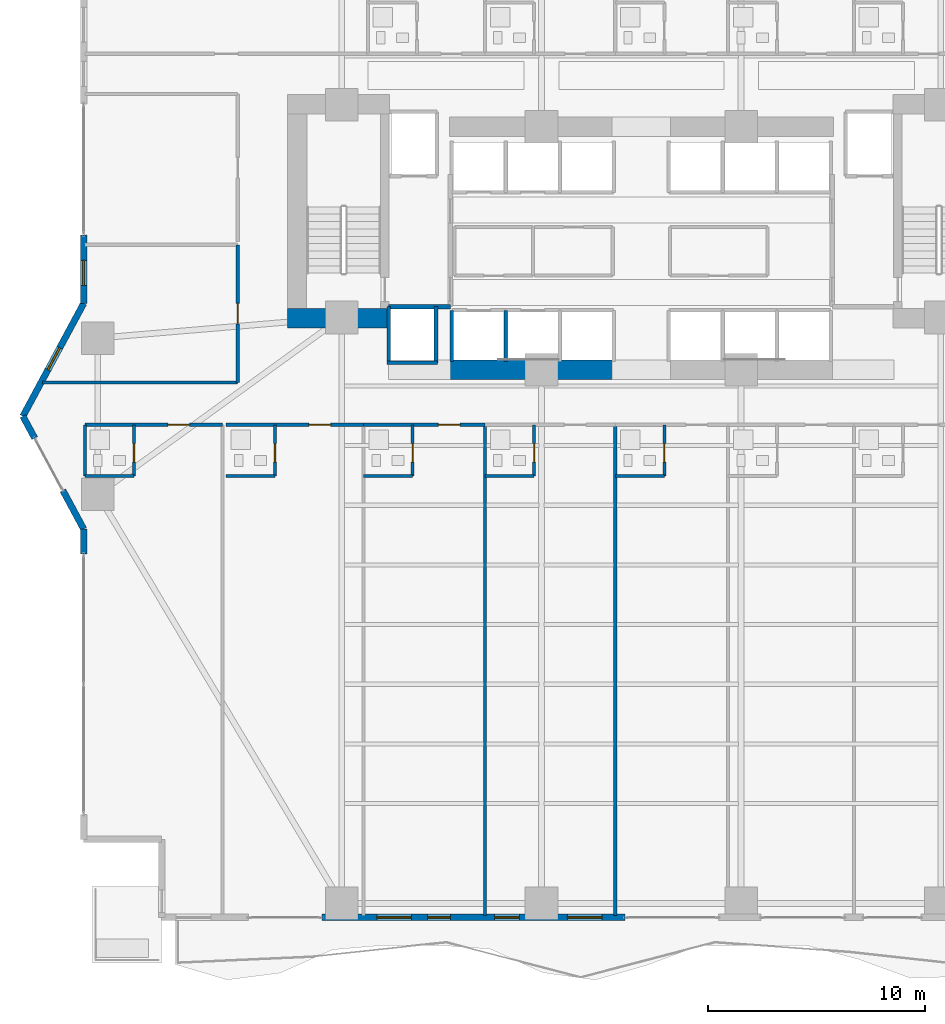
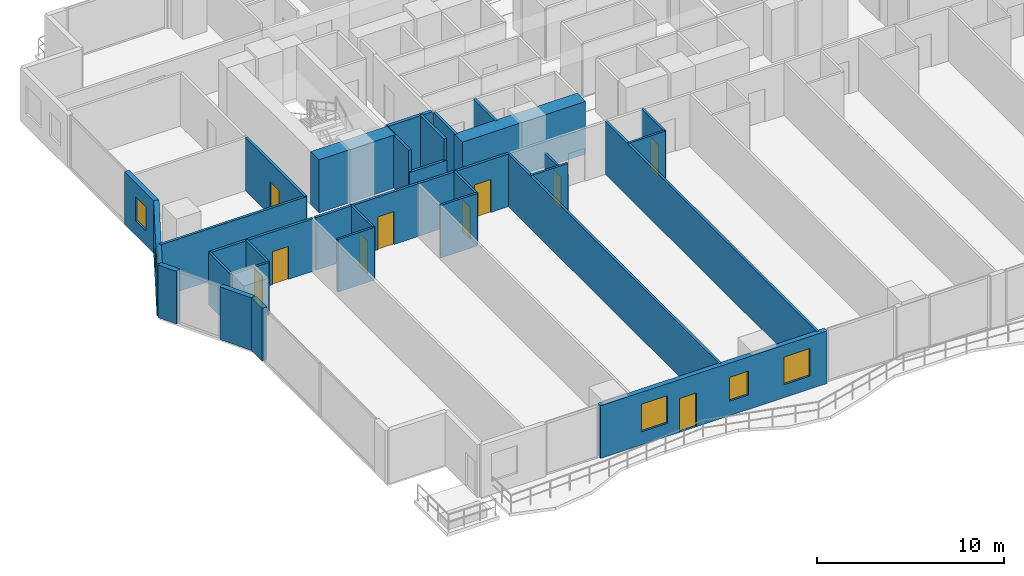
# One storey, part 18 of 28: 32 walls, 10 doors, 5 windows, 15 openings.
"""IFC4 building model written with IfcOpenShell, lengths in metres."""

from ifc_helpers import new_model, si_unit, direction, frame, frame_2d, origin, place, context, subcontext, project, spatial, rectangle, extrude, material, layer, layer_set, type_object, element, fill, save


model = new_model("IFC4")

# Units and contexts
model_context = context("Model", 3, precision=1e-05, world=origin(), true_north=direction((0.0, 1.0)))
body_context = subcontext(model_context, "Body", "Model", "MODEL_VIEW")
ifc_project = project(units=[si_unit("LENGTHUNIT", "METRE"), si_unit("AREAUNIT", "SQUARE_METRE"), si_unit("VOLUMEUNIT", "CUBIC_METRE"), si_unit("PLANEANGLEUNIT", "RADIAN"), si_unit("MASSUNIT", "GRAM", prefix="KILO")], contexts=[model_context])

# Site, building, storey
site_placement = place(None, origin())
site = spatial("IfcSite", under=ifc_project, at=site_placement, CompositionType="ELEMENT")
building_placement = place(site_placement, origin())
building = spatial("IfcBuilding", under=site, at=building_placement, Name="Zuhayl Quay Hotel", CompositionType="ELEMENT")
storey_placement = place(building_placement, frame((0.0, 0.0, 34.89990234375)))
storey = spatial("IfcBuildingStorey", under=building, at=storey_placement, Name="L07", CompositionType="ELEMENT", Elevation=34.89990234375)

# Walls
ifc_material_1 = material(Name="Concrete C70/85", Category="concrete")
ifc_layer_1 = layer(ifc_material_1, 0.89990234375, Name="Concrete C70/85", Category="concrete")
ifc_layer_set_1 = layer_set([ifc_layer_1], Name="Concrete C70/85")
wall_type_1 = type_object("IfcWallType", Name="WL_CORE_900", PredefinedType="SHEAR", material=ifc_layer_set_1)
wall_1_placement = place(storey_placement, frame((-16.31005859375, 4.52001953125, 0.0), z_axis=(0.0, 0.0, 1.0), x_axis=(1.0, 0.0, 0.0)))
element("IfcWall", 1, at=wall_1_placement, inside=storey, type_object=wall_type_1, Name="L07 Core Shear Wall CW_SW", PredefinedType="SHEAR", context=body_context, shape_type="SweptSolid", body=[
    extrude(rectangle(XDim=4.7099609375, YDim=0.89990234375, at=frame_2d((2.35498046875, 0.0))), origin(), (0.0, 0.0, 1.0), 3.460205078125),
])
wall_2_placement = place(storey_placement, frame((-8.85009765625, 2.14990234375, 0.0), z_axis=(0.0, 0.0, 1.0), x_axis=(1.0, 0.0, 0.0)))
element("IfcWall", 2, at=wall_2_placement, inside=storey, type_object=wall_type_1, Name="L07 Core Shear Wall CW_SC_W", PredefinedType="SHEAR", context=body_context, shape_type="SweptSolid", body=[
    extrude(rectangle(XDim=7.60009765625, YDim=0.89990234375, at=frame_2d((3.800048828125, 0.0))), origin(), (0.0, 0.0, 1.0), 3.43017578125),
])
ifc_material_2 = material(Name="Precast concrete C45/55", Category="concrete")
ifc_layer_2 = layer(ifc_material_2, 0.300048828125, Name="Precast concrete C45/55", Category="concrete")
ifc_layer_set_2 = layer_set([ifc_layer_2], Name="Precast concrete C45/55")
wall_type_2 = type_object("IfcWallType", Name="WL_EXT_300", PredefinedType="STANDARD", material=ifc_layer_set_2)
wall_3_placement = place(storey_placement, frame((-25.699951171875, -6.35009765625, 0.0), z_axis=(0.0, 0.0, 1.0), x_axis=(0.0, 1.0, 0.0)))
element("IfcWall", 3, at=wall_3_placement, inside=storey, type_object=wall_type_2, Name="L07 Exterior Precast Wall ENV_L07_E02_EW2", PredefinedType="STANDARD", context=body_context, shape_type="SweptSolid", body=[
    extrude(rectangle(XDim=1.150146484375, YDim=0.300048828125, at=frame_2d((0.5751953125, 0.0))), origin(), (0.0, 0.0, 1.0), 3.43017578125),
])
wall_4_placement = place(storey_placement, frame((-25.699951171875, -5.199951171875, 0.0), z_axis=(0.0, 0.0, 1.0), x_axis=(-0.474121438562, 0.88045946045, 0.0)))
element("IfcWall", 4, at=wall_4_placement, inside=storey, type_object=wall_type_2, Name="L07 Exterior Precast Wall ENV_L07_E03_EW1", PredefinedType="STANDARD", context=body_context, shape_type="SweptSolid", body=[
    extrude(rectangle(XDim=2.0205078125, YDim=0.300048828125, at=frame_2d((1.01025390625, 0.0))), origin(), (0.0, 0.0, 1.0), 3.43017578125),
])
wall_5_placement = place(storey_placement, frame((-27.954833984375, -1.012451171875, 0.0), z_axis=(0.0, 0.0, 1.0), x_axis=(-0.474099823035, 0.880471099922, 0.0)))
element("IfcWall", 5, at=wall_5_placement, inside=storey, type_object=wall_type_2, Name="L07 Exterior Precast Wall ENV_L07_E03_EW2", PredefinedType="STANDARD", context=body_context, shape_type="SweptSolid", body=[
    extrude(rectangle(XDim=1.14990234375, YDim=0.300048828125, at=frame_2d((0.574951171875, 0.0))), origin(), (0.0, 0.0, 1.0), 3.43017578125),
])

# Wall, opening, window
wall_6_placement = place(storey_placement, frame((-28.5, 0.0, 0.0), z_axis=(0.0, 0.0, 1.0), x_axis=(0.474109683532, 0.880465790352, 0.0)))
wall_6 = element("IfcWall", 6, at=wall_6_placement, inside=storey, type_object=wall_type_2, Name="L07 Exterior Precast Wall ENV_L07_E04_EW1", PredefinedType="STANDARD", context=body_context, shape_type="SweptSolid", body=[
    extrude(rectangle(XDim=5.906005859375, YDim=0.300048828125, at=frame_2d((2.953125, 0.0))), origin(), (0.0, 0.0, 1.0), 3.43017578125),
])
opening_1_placement = place(wall_6_placement, frame((2.43212890625, 0.0, 0.949951171875)))
opening_1 = element("IfcOpeningElement", 7, at=opening_1_placement, cuts=wall_6, Name="Opening W01N", PredefinedType="OPENING", context=body_context, shape_type="SweptSolid", body=[
    extrude(rectangle(XDim=1.14990234375, YDim=1.550048828125, at=frame_2d((0.574951171875, 0.77490234375))), frame((0.0, 0.159912109375, 0.0), z_axis=(0.0, -1.0, 0.0), x_axis=(1.0, 0.0, 0.0)), (0.0, 0.0, 1.0), 0.320068359375),
])
ifc_material_3 = material(Name="Dark Ceramic-Fritted Solar Glass", Category="glass")
window_type_1 = type_object("IfcWindowType", Name="WN_NOTCH_1350", PartitioningType="SINGLE_PANEL", PredefinedType="WINDOW", material=ifc_material_3)
window_1_placement = place(opening_1_placement, origin())
window_1 = element("IfcWindow", 8, at=window_1_placement, inside=storey, type_object=window_type_1, Name="L07 Operable Facade Window 1-1", OverallHeight=1.550048828125, OverallWidth=1.14990234375, PartitioningType="SINGLE_PANEL", PredefinedType="WINDOW", context=body_context, shape_type="SweptSolid", body=[
    extrude(rectangle(XDim=1.14990234375, YDim=1.550048828125, at=frame_2d((0.574951171875, 0.77490234375))), frame((0.0, 0.030029296875, 0.0), z_axis=(0.0, -1.0, 0.0), x_axis=(1.0, 0.0, 0.0)), (0.0, 0.0, 1.0), 0.06005859375),
])
fill(opening_1, window_1)

wall_7_placement = place(storey_placement, frame((-25.699951171875, 5.199951171875, 0.0), z_axis=(0.0, 0.0, 1.0), x_axis=(0.0, 1.0, 0.0)))
wall_7 = element("IfcWall", 9, at=wall_7_placement, inside=storey, type_object=wall_type_2, Name="L07 Exterior Precast Wall ENV_L07_E05_EW1", PredefinedType="STANDARD", context=body_context, shape_type="SweptSolid", body=[
    extrude(rectangle(XDim=3.150146484375, YDim=0.300048828125, at=frame_2d((1.5751953125, 0.0))), origin(), (0.0, 0.0, 1.0), 3.43017578125),
])
opening_2_placement = place(wall_7_placement, frame((0.8349609375, 0.0, 0.949951171875)))
opening_2 = element("IfcOpeningElement", 10, at=opening_2_placement, cuts=wall_7, Name="Opening W01N", PredefinedType="OPENING", context=body_context, shape_type="SweptSolid", body=[
    extrude(rectangle(XDim=1.14990234375, YDim=1.550048828125, at=frame_2d((0.574951171875, 0.77490234375))), frame((0.0, 0.159912109375, 0.0), z_axis=(0.0, -1.0, 0.0), x_axis=(1.0, 0.0, 0.0)), (0.0, 0.0, 1.0), 0.320068359375),
])
window_2_placement = place(opening_2_placement, origin())
window_2 = element("IfcWindow", 11, at=window_2_placement, inside=storey, type_object=window_type_1, Name="L07 Operable Facade Window 1-1", OverallHeight=1.550048828125, OverallWidth=1.14990234375, PartitioningType="SINGLE_PANEL", PredefinedType="WINDOW", context=body_context, shape_type="SweptSolid", body=[
    extrude(rectangle(XDim=1.14990234375, YDim=1.550048828125, at=frame_2d((0.574951171875, 0.77490234375))), frame((0.0, 0.030029296875, 0.0), z_axis=(0.0, -1.0, 0.0), x_axis=(1.0, 0.0, 0.0)), (0.0, 0.0, 1.0), 0.06005859375),
])
fill(opening_2, window_2)

# Wall, openings, door, windows
wall_8_placement = place(storey_placement, frame((-0.75, -23.10009765625, 0.0), z_axis=(0.0, 0.0, 1.0), x_axis=(-1.0, 0.0, 0.0)))
wall_8 = element("IfcWall", 12, at=wall_8_placement, inside=storey, type_object=wall_type_2, Name="L07 Exterior Precast Wall ENV_L07_S_EW5", PredefinedType="STANDARD", context=body_context, shape_type="SweptSolid", body=[
    extrude(rectangle(XDim=13.969970703125, YDim=0.300048828125, at=frame_2d((6.98486328125, 0.0))), origin(), (0.0, 0.0, 1.0), 3.43017578125),
])
opening_3_placement = place(wall_8_placement, frame((8.052978515625, 0.0, 0.0)))
opening_3 = element("IfcOpeningElement", 13, at=opening_3_placement, cuts=wall_8, Name="Opening DG1", PredefinedType="OPENING", context=body_context, shape_type="SweptSolid", body=[
    extrude(rectangle(XDim=1.050048828125, YDim=2.199951171875, at=frame_2d((0.52490234375, 1.10009765625))), frame((0.0, 0.159912109375, 0.0), z_axis=(0.0, -1.0, 0.0), x_axis=(1.0, 0.0, 0.0)), (0.0, 0.0, 1.0), 0.320068359375),
])
opening_4_placement = place(wall_8_placement, frame((1.06005859375, 0.0, 0.85009765625)))
opening_4 = element("IfcOpeningElement", 14, at=opening_4_placement, cuts=wall_8, Name="Opening W01", PredefinedType="OPENING", context=body_context, shape_type="SweptSolid", body=[
    extrude(rectangle(XDim=1.60009765625, YDim=1.800048828125, at=frame_2d((0.800048828125, 0.89990234375))), frame((0.0, 0.159912109375, 0.0), z_axis=(0.0, -1.0, 0.0), x_axis=(1.0, 0.0, 0.0)), (0.0, 0.0, 1.0), 0.320068359375),
])
opening_5_placement = place(wall_8_placement, frame((4.864990234375, 0.0, 0.949951171875)))
opening_5 = element("IfcOpeningElement", 15, at=opening_5_placement, cuts=wall_8, Name="Opening W01N", PredefinedType="OPENING", context=body_context, shape_type="SweptSolid", body=[
    extrude(rectangle(XDim=1.14990234375, YDim=1.550048828125, at=frame_2d((0.574951171875, 0.77490234375))), frame((0.0, 0.159912109375, 0.0), z_axis=(0.0, -1.0, 0.0), x_axis=(1.0, 0.0, 0.0)), (0.0, 0.0, 1.0), 0.320068359375),
])
opening_6_placement = place(wall_8_placement, frame((9.841552734375, 0.0, 0.85009765625)))
opening_6 = element("IfcOpeningElement", 16, at=opening_6_placement, cuts=wall_8, Name="Opening W01", PredefinedType="OPENING", context=body_context, shape_type="SweptSolid", body=[
    extrude(rectangle(XDim=1.60009765625, YDim=1.800048828125, at=frame_2d((0.800048828125, 0.89990234375))), frame((0.0, 0.159912109375, 0.0), z_axis=(0.0, -1.0, 0.0), x_axis=(1.0, 0.0, 0.0)), (0.0, 0.0, 1.0), 0.320068359375),
])
ifc_material_4 = material(Name="Anodised Aluminium and Dark Solar Glass", Category="aluminium")
door_type_1 = type_object("IfcDoorType", Name="DR_EXT_TERR_1050", OperationType="NOTDEFINED", PredefinedType="DOOR", material=ifc_material_4)
door_1_placement = place(opening_3_placement, origin())
door_1 = element("IfcDoor", 17, at=door_1_placement, inside=storey, type_object=door_type_1, Name="L07 South Rippling Balcony Door", OperationType="SINGLE_SWING_RIGHT", OverallHeight=2.199951171875, OverallWidth=1.050048828125, PredefinedType="DOOR", context=body_context, shape_type="SweptSolid", body=[
    extrude(rectangle(XDim=1.050048828125, YDim=2.199951171875, at=frame_2d((0.52490234375, 1.10009765625))), frame((0.0, 0.02490234375, 0.0), z_axis=(0.0, -1.0, 0.0), x_axis=(1.0, 0.0, 0.0)), (0.0, 0.0, 1.0), 0.050048828125),
])
fill(opening_3, door_1)
window_3_placement = place(opening_5_placement, origin())
window_3 = element("IfcWindow", 18, at=window_3_placement, inside=storey, type_object=window_type_1, Name="L07 Operable Facade Window 5-2", OverallHeight=1.550048828125, OverallWidth=1.14990234375, PartitioningType="SINGLE_PANEL", PredefinedType="WINDOW", context=body_context, shape_type="SweptSolid", body=[
    extrude(rectangle(XDim=1.14990234375, YDim=1.550048828125, at=frame_2d((0.574951171875, 0.77490234375))), frame((0.0, 0.030029296875, 0.0), z_axis=(0.0, -1.0, 0.0), x_axis=(1.0, 0.0, 0.0)), (0.0, 0.0, 1.0), 0.06005859375),
])
fill(opening_5, window_3)
window_type_2 = type_object("IfcWindowType", Name="WN_OPERABLE_1600", PartitioningType="DOUBLE_PANEL_VERTICAL", PredefinedType="WINDOW", material=ifc_material_3)
window_4_placement = place(opening_4_placement, origin())
window_4 = element("IfcWindow", 19, at=window_4_placement, inside=storey, type_object=window_type_2, Name="L07 Operable Facade Window 5-1", OverallHeight=1.800048828125, OverallWidth=1.60009765625, PartitioningType="SINGLE_PANEL", PredefinedType="WINDOW", context=body_context, shape_type="SweptSolid", body=[
    extrude(rectangle(XDim=1.60009765625, YDim=1.800048828125, at=frame_2d((0.800048828125, 0.89990234375))), frame((0.0, 0.030029296875, 0.0), z_axis=(0.0, -1.0, 0.0), x_axis=(1.0, 0.0, 0.0)), (0.0, 0.0, 1.0), 0.06005859375),
])
fill(opening_4, window_4)
window_5_placement = place(opening_6_placement, origin())
window_5 = element("IfcWindow", 20, at=window_5_placement, inside=storey, type_object=window_type_2, Name="L07 Operable Facade Window 5-3", OverallHeight=1.800048828125, OverallWidth=1.60009765625, PartitioningType="SINGLE_PANEL", PredefinedType="WINDOW", context=body_context, shape_type="SweptSolid", body=[
    extrude(rectangle(XDim=1.60009765625, YDim=1.800048828125, at=frame_2d((0.800048828125, 0.89990234375))), frame((0.0, 0.030029296875, 0.0), z_axis=(0.0, -1.0, 0.0), x_axis=(1.0, 0.0, 0.0)), (0.0, 0.0, 1.0), 0.06005859375),
])
fill(opening_6, window_5)

# Walls
ifc_material_5 = material(Name="Acoustic Gypsum Partition STC-58")
ifc_layer_3 = layer(ifc_material_5, 0.14990234375, Name="Acoustic Gypsum Partition STC-58")
ifc_layer_set_3 = layer_set([ifc_layer_3], Name="Acoustic Gypsum Partition STC-58")
wall_type_3 = type_object("IfcWallType", Name="WL_PART_150", PredefinedType="PARTITIONING", material=ifc_layer_set_3)
for number, where, z_axis, x_axis, name in (
    (21, (-7.199951171875, -23.02001953125, 0.0), (0.0, 0.0, 1.0), (0.0, 1.0, 0.0), "L07 Partition IW_L07_SU02_E"),
    (22, (-1.199951171875, -23.02001953125, 0.0), (0.0, 0.0, 1.0), (0.0, 1.0, 0.0), "L07 Partition IW_L07_SU03_E"),
):
    element("IfcWall", number, at=place(storey_placement, frame(where, z_axis=z_axis, x_axis=x_axis)), inside=storey, type_object=wall_type_3, Name=name, PredefinedType="PARTITIONING", context=body_context, shape_type="SweptSolid", body=[
        extrude(rectangle(XDim=22.6201171875, YDim=0.14990234375, at=frame_2d((11.31005859375, 0.0))), origin(), (0.0, 0.0, 1.0), 3.43017578125),
    ])
wall_9_placement = place(storey_placement, frame((-27.60546875, 1.550048828125, 0.0), z_axis=(0.0, 0.0, 1.0), x_axis=(1.0, 0.0, 0.0)))
element("IfcWall", 23, at=wall_9_placement, inside=storey, type_object=wall_type_3, Name="L07 Partition IW_L07_WPROW_1_S", PredefinedType="PARTITIONING", context=body_context, shape_type="SweptSolid", body=[
    extrude(rectangle(XDim=9.00537109375, YDim=0.14990234375, at=frame_2d((4.502685546875, 0.0))), origin(), (0.0, 0.0, 1.0), 3.43017578125),
])

# Wall, opening, door
ifc_layer_4 = layer(ifc_material_5, 0.159912109375, Name="Acoustic Gypsum Partition STC-58")
ifc_layer_set_4 = layer_set([ifc_layer_4], Name="Acoustic Gypsum Partition STC-58")
wall_type_4 = type_object("IfcWallType", Name="WL_PART_CORR_160", PredefinedType="PARTITIONING", material=ifc_layer_set_4)
wall_10_placement = place(storey_placement, frame((-25.639892578125, -0.39990234375, 0.0), z_axis=(0.0, 0.0, 1.0), x_axis=(1.0, 0.0, 0.0)))
wall_10 = element("IfcWall", 24, at=wall_10_placement, inside=storey, type_object=wall_type_4, Name="L07 Partition IW_L07_SU01A_COR", PredefinedType="PARTITIONING", context=body_context, shape_type="SweptSolid", body=[
    extrude(rectangle(XDim=6.33984375, YDim=0.159912109375, at=frame_2d((3.169921875, 0.0))), origin(), (0.0, 0.0, 1.0), 3.43017578125),
])
opening_7_placement = place(wall_10_placement, frame((3.820068359375, 0.0, 0.0)))
opening_7 = element("IfcOpeningElement", 25, at=opening_7_placement, cuts=wall_10, Name="Opening D03L", PredefinedType="OPENING", context=body_context, shape_type="SweptSolid", body=[
    extrude(rectangle(XDim=1.0, YDim=2.14990234375, at=frame_2d((0.5, 1.074951171875))), frame((0.0, 0.08984375, 0.0), z_axis=(0.0, -1.0, 0.0), x_axis=(1.0, 0.0, 0.0)), (0.0, 0.0, 1.0), 0.179931640625),
])
ifc_material_6 = material(Name="Solid Walnut Acoustic Fire Door")
door_type_2 = type_object("IfcDoorType", Name="DR_SUITE_1000", OperationType="NOTDEFINED", PredefinedType="DOOR", material=ifc_material_6)
door_2_placement = place(opening_7_placement, origin())
door_2 = element("IfcDoor", 26, at=door_2_placement, inside=storey, type_object=door_type_2, Name="L07 Premier Twin Junior Suite L07-01A Entrance Door", OperationType="SINGLE_SWING_RIGHT", OverallHeight=2.14990234375, OverallWidth=1.0, PredefinedType="DOOR", context=body_context, shape_type="SweptSolid", body=[
    extrude(rectangle(XDim=1.0, YDim=2.14990234375, at=frame_2d((0.5, 1.074951171875))), frame((0.0, 0.02490234375, 0.0), z_axis=(0.0, -1.0, 0.0), x_axis=(1.0, 0.0, 0.0)), (0.0, 0.0, 1.0), 0.050048828125),
])
fill(opening_7, door_2)

wall_11_placement = place(storey_placement, frame((-19.139892578125, -0.39990234375, 0.0), z_axis=(0.0, 0.0, 1.0), x_axis=(1.0, 0.0, 0.0)))
wall_11 = element("IfcWall", 27, at=wall_11_placement, inside=storey, type_object=wall_type_4, Name="L07 Partition IW_L07_SU01B_COR", PredefinedType="PARTITIONING", context=body_context, shape_type="SweptSolid", body=[
    extrude(rectangle(XDim=6.33984375, YDim=0.159912109375, at=frame_2d((3.169921875, 0.0))), origin(), (0.0, 0.0, 1.0), 3.43017578125),
])
opening_8_placement = place(wall_11_placement, frame((3.820068359375, 0.0, 0.0)))
opening_8 = element("IfcOpeningElement", 28, at=opening_8_placement, cuts=wall_11, Name="Opening D03L", PredefinedType="OPENING", context=body_context, shape_type="SweptSolid", body=[
    extrude(rectangle(XDim=1.0, YDim=2.14990234375, at=frame_2d((0.5, 1.074951171875))), frame((0.0, 0.08984375, 0.0), z_axis=(0.0, -1.0, 0.0), x_axis=(1.0, 0.0, 0.0)), (0.0, 0.0, 1.0), 0.179931640625),
])
door_3_placement = place(opening_8_placement, origin())
door_3 = element("IfcDoor", 29, at=door_3_placement, inside=storey, type_object=door_type_2, Name="L07 Premier Twin Junior Suite L07-01B Entrance Door", OperationType="SINGLE_SWING_RIGHT", OverallHeight=2.14990234375, OverallWidth=1.0, PredefinedType="DOOR", context=body_context, shape_type="SweptSolid", body=[
    extrude(rectangle(XDim=1.0, YDim=2.14990234375, at=frame_2d((0.5, 1.074951171875))), frame((0.0, 0.02490234375, 0.0), z_axis=(0.0, -1.0, 0.0), x_axis=(1.0, 0.0, 0.0)), (0.0, 0.0, 1.0), 0.050048828125),
])
fill(opening_8, door_3)

wall_12_placement = place(storey_placement, frame((-12.800048828125, -0.39990234375, 0.0), z_axis=(0.0, 0.0, 1.0), x_axis=(1.0, 0.0, 0.0)))
wall_12 = element("IfcWall", 30, at=wall_12_placement, inside=storey, type_object=wall_type_4, Name="L07 Partition IW_L07_SU02_COR", PredefinedType="PARTITIONING", context=body_context, shape_type="SweptSolid", body=[
    extrude(rectangle(XDim=5.60009765625, YDim=0.159912109375, at=frame_2d((2.800048828125, 0.0))), origin(), (0.0, 0.0, 1.0), 3.43017578125),
])
opening_9_placement = place(wall_12_placement, frame((3.449951171875, 0.0, 0.0)))
opening_9 = element("IfcOpeningElement", 31, at=opening_9_placement, cuts=wall_12, Name="Opening D03L", PredefinedType="OPENING", context=body_context, shape_type="SweptSolid", body=[
    extrude(rectangle(XDim=1.0, YDim=2.14990234375, at=frame_2d((0.5, 1.074951171875))), frame((0.0, 0.08984375, 0.0), z_axis=(0.0, -1.0, 0.0), x_axis=(1.0, 0.0, 0.0)), (0.0, 0.0, 1.0), 0.179931640625),
])
door_4_placement = place(opening_9_placement, origin())
door_4 = element("IfcDoor", 32, at=door_4_placement, inside=storey, type_object=door_type_2, Name="L07 Premier Twin Junior Suite L07-02 Entrance Door", OperationType="SINGLE_SWING_RIGHT", OverallHeight=2.14990234375, OverallWidth=1.0, PredefinedType="DOOR", context=body_context, shape_type="SweptSolid", body=[
    extrude(rectangle(XDim=1.0, YDim=2.14990234375, at=frame_2d((0.5, 1.074951171875))), frame((0.0, 0.02490234375, 0.0), z_axis=(0.0, -1.0, 0.0), x_axis=(1.0, 0.0, 0.0)), (0.0, 0.0, 1.0), 0.050048828125),
])
fill(opening_9, door_4)

wall_13_placement = place(storey_placement, frame((-18.60009765625, 1.550048828125, 0.0), z_axis=(0.0, 0.0, 1.0), x_axis=(0.0, 1.0, 0.0)))
wall_13 = element("IfcWall", 33, at=wall_13_placement, inside=storey, type_object=wall_type_4, Name="L07 Partition IW_L07_WPROW_1_E", PredefinedType="PARTITIONING", context=body_context, shape_type="SweptSolid", body=[
    extrude(rectangle(XDim=6.349853515625, YDim=0.159912109375, at=frame_2d((3.1748046875, 0.0))), origin(), (0.0, 0.0, 1.0), 3.43017578125),
])
opening_10_placement = place(wall_13_placement, frame((2.699951171875, 0.0, 0.0)))
opening_10 = element("IfcOpeningElement", 34, at=opening_10_placement, cuts=wall_13, Name="Opening D03", PredefinedType="OPENING", context=body_context, shape_type="SweptSolid", body=[
    extrude(rectangle(XDim=0.949951171875, YDim=2.14990234375, at=frame_2d((0.47509765625, 1.074951171875))), frame((0.0, 0.08984375, 0.0), z_axis=(0.0, -1.0, 0.0), x_axis=(1.0, 0.0, 0.0)), (0.0, 0.0, 1.0), 0.179931640625),
])
door_type_3 = type_object("IfcDoorType", Name="DR_SUITE_950", OperationType="NOTDEFINED", PredefinedType="DOOR", material=ifc_material_6)
door_5_placement = place(opening_10_placement, origin())
door_5 = element("IfcDoor", 35, at=door_5_placement, inside=storey, type_object=door_type_3, Name="L07 West Prow Office L07 Door", OperationType="SINGLE_SWING_RIGHT", OverallHeight=2.14990234375, OverallWidth=0.949951171875, PredefinedType="DOOR", context=body_context, shape_type="SweptSolid", body=[
    extrude(rectangle(XDim=0.949951171875, YDim=2.14990234375, at=frame_2d((0.47509765625, 1.074951171875))), frame((0.0, 0.02490234375, 0.0), z_axis=(0.0, -1.0, 0.0), x_axis=(1.0, 0.0, 0.0)), (0.0, 0.0, 1.0), 0.050048828125),
])
fill(opening_10, door_5)

ifc_material_7 = material(Name="Moisture-Resistant Sanitarychase Gypsum")
ifc_layer_5 = layer(ifc_material_7, 0.135009765625, Name="Moisture-Resistant Sanitarychase Gypsum")
ifc_layer_set_5 = layer_set([ifc_layer_5], Name="Moisture-Resistant Sanitarychase Gypsum")
wall_type_5 = type_object("IfcWallType", Name="WL_PART_PLUMB_150", PredefinedType="PLUMBINGWALL", material=ifc_layer_set_5)
wall_14_placement = place(storey_placement, frame((-23.3798828125, -2.760009765625, 0.0), z_axis=(0.0, 0.0, 1.0), x_axis=(0.0, 1.0, 0.0)))
wall_14 = element("IfcWall", 36, at=wall_14_placement, inside=storey, type_object=wall_type_5, Name="L07 Partition IW_L07_SU01A_BE", PredefinedType="PLUMBINGWALL", context=body_context, shape_type="SweptSolid", body=[
    extrude(rectangle(XDim=2.360107421875, YDim=0.135009765625, at=frame_2d((1.18017578125, 0.0))), origin(), (0.0, 0.0, 1.0), 3.43017578125),
])
opening_11_placement = place(wall_14_placement, frame((0.64990234375, 0.0, 0.0)))
opening_11 = element("IfcOpeningElement", 37, at=opening_11_placement, cuts=wall_14, Name="Opening D04", PredefinedType="OPENING", context=body_context, shape_type="SweptSolid", body=[
    extrude(rectangle(XDim=0.85009765625, YDim=2.10009765625, at=frame_2d((0.425048828125, 1.050048828125))), frame((0.0, 0.077392578125, 0.0), z_axis=(0.0, -1.0, 0.0), x_axis=(1.0, 0.0, 0.0)), (0.0, 0.0, 1.0), 0.155029296875),
])
ifc_material_8 = material(Name="Moisture-Resistant Walnut Veneer")
door_type_4 = type_object("IfcDoorType", Name="DR_BATH_850", OperationType="NOTDEFINED", PredefinedType="DOOR", material=ifc_material_8)
door_6_placement = place(opening_11_placement, origin())
door_6 = element("IfcDoor", 38, at=door_6_placement, inside=storey, type_object=door_type_4, Name="L07 Premier Twin Junior Suite L07-01A En-Suite Door", OperationType="SINGLE_SWING_LEFT", OverallHeight=2.10009765625, OverallWidth=0.85009765625, PredefinedType="DOOR", context=body_context, shape_type="SweptSolid", body=[
    extrude(rectangle(XDim=0.85009765625, YDim=2.10009765625, at=frame_2d((0.425048828125, 1.050048828125))), frame((0.0, 0.02490234375, 0.0), z_axis=(0.0, -1.0, 0.0), x_axis=(1.0, 0.0, 0.0)), (0.0, 0.0, 1.0), 0.050048828125),
])
fill(opening_11, door_6)

wall_15_placement = place(storey_placement, frame((-16.8798828125, -2.760009765625, 0.0), z_axis=(0.0, 0.0, 1.0), x_axis=(0.0, 1.0, 0.0)))
wall_15 = element("IfcWall", 39, at=wall_15_placement, inside=storey, type_object=wall_type_5, Name="L07 Partition IW_L07_SU01B_BE", PredefinedType="PLUMBINGWALL", context=body_context, shape_type="SweptSolid", body=[
    extrude(rectangle(XDim=2.360107421875, YDim=0.135009765625, at=frame_2d((1.18017578125, 0.0))), origin(), (0.0, 0.0, 1.0), 3.43017578125),
])
opening_12_placement = place(wall_15_placement, frame((0.64990234375, 0.0, 0.0)))
opening_12 = element("IfcOpeningElement", 40, at=opening_12_placement, cuts=wall_15, Name="Opening D04", PredefinedType="OPENING", context=body_context, shape_type="SweptSolid", body=[
    extrude(rectangle(XDim=0.85009765625, YDim=2.10009765625, at=frame_2d((0.425048828125, 1.050048828125))), frame((0.0, 0.077392578125, 0.0), z_axis=(0.0, -1.0, 0.0), x_axis=(1.0, 0.0, 0.0)), (0.0, 0.0, 1.0), 0.155029296875),
])
door_7_placement = place(opening_12_placement, origin())
door_7 = element("IfcDoor", 41, at=door_7_placement, inside=storey, type_object=door_type_4, Name="L07 Premier Twin Junior Suite L07-01B En-Suite Door", OperationType="SINGLE_SWING_LEFT", OverallHeight=2.10009765625, OverallWidth=0.85009765625, PredefinedType="DOOR", context=body_context, shape_type="SweptSolid", body=[
    extrude(rectangle(XDim=0.85009765625, YDim=2.10009765625, at=frame_2d((0.425048828125, 1.050048828125))), frame((0.0, 0.02490234375, 0.0), z_axis=(0.0, -1.0, 0.0), x_axis=(1.0, 0.0, 0.0)), (0.0, 0.0, 1.0), 0.050048828125),
])
fill(opening_12, door_7)

wall_16_placement = place(storey_placement, frame((-10.5400390625, -2.760009765625, 0.0), z_axis=(0.0, 0.0, 1.0), x_axis=(0.0, 1.0, 0.0)))
wall_16 = element("IfcWall", 42, at=wall_16_placement, inside=storey, type_object=wall_type_5, Name="L07 Partition IW_L07_SU02_BE", PredefinedType="PLUMBINGWALL", context=body_context, shape_type="SweptSolid", body=[
    extrude(rectangle(XDim=2.360107421875, YDim=0.135009765625, at=frame_2d((1.18017578125, 0.0))), origin(), (0.0, 0.0, 1.0), 3.43017578125),
])
opening_13_placement = place(wall_16_placement, frame((0.64990234375, 0.0, 0.0)))
opening_13 = element("IfcOpeningElement", 43, at=opening_13_placement, cuts=wall_16, Name="Opening D04", PredefinedType="OPENING", context=body_context, shape_type="SweptSolid", body=[
    extrude(rectangle(XDim=0.85009765625, YDim=2.10009765625, at=frame_2d((0.425048828125, 1.050048828125))), frame((0.0, 0.077392578125, 0.0), z_axis=(0.0, -1.0, 0.0), x_axis=(1.0, 0.0, 0.0)), (0.0, 0.0, 1.0), 0.155029296875),
])
door_8_placement = place(opening_13_placement, origin())
door_8 = element("IfcDoor", 44, at=door_8_placement, inside=storey, type_object=door_type_4, Name="L07 Premier Twin Junior Suite L07-02 En-Suite Door", OperationType="SINGLE_SWING_LEFT", OverallHeight=2.10009765625, OverallWidth=0.85009765625, PredefinedType="DOOR", context=body_context, shape_type="SweptSolid", body=[
    extrude(rectangle(XDim=0.85009765625, YDim=2.10009765625, at=frame_2d((0.425048828125, 1.050048828125))), frame((0.0, 0.02490234375, 0.0), z_axis=(0.0, -1.0, 0.0), x_axis=(1.0, 0.0, 0.0)), (0.0, 0.0, 1.0), 0.050048828125),
])
fill(opening_13, door_8)

wall_17_placement = place(storey_placement, frame((-4.93994140625, -2.760009765625, 0.0), z_axis=(0.0, 0.0, 1.0), x_axis=(0.0, 1.0, 0.0)))
wall_17 = element("IfcWall", 45, at=wall_17_placement, inside=storey, type_object=wall_type_5, Name="L07 Partition IW_L07_SU03_BE", PredefinedType="PLUMBINGWALL", context=body_context, shape_type="SweptSolid", body=[
    extrude(rectangle(XDim=2.360107421875, YDim=0.135009765625, at=frame_2d((1.18017578125, 0.0))), origin(), (0.0, 0.0, 1.0), 2.668212890625),
])
opening_14_placement = place(wall_17_placement, frame((0.64990234375, 0.0, 0.0)))
opening_14 = element("IfcOpeningElement", 46, at=opening_14_placement, cuts=wall_17, Name="Opening D04", PredefinedType="OPENING", context=body_context, shape_type="SweptSolid", body=[
    extrude(rectangle(XDim=0.85009765625, YDim=2.10009765625, at=frame_2d((0.425048828125, 1.050048828125))), frame((0.0, 0.077392578125, 0.0), z_axis=(0.0, -1.0, 0.0), x_axis=(1.0, 0.0, 0.0)), (0.0, 0.0, 1.0), 0.155029296875),
])
door_9_placement = place(opening_14_placement, origin())
door_9 = element("IfcDoor", 47, at=door_9_placement, inside=storey, type_object=door_type_4, Name="L07 Premier Twin Junior Suite L07-03 En-Suite Door", OperationType="SINGLE_SWING_LEFT", OverallHeight=2.10009765625, OverallWidth=0.85009765625, PredefinedType="DOOR", context=body_context, shape_type="SweptSolid", body=[
    extrude(rectangle(XDim=0.85009765625, YDim=2.10009765625, at=frame_2d((0.425048828125, 1.050048828125))), frame((0.0, 0.02490234375, 0.0), z_axis=(0.0, -1.0, 0.0), x_axis=(1.0, 0.0, 0.0)), (0.0, 0.0, 1.0), 0.050048828125),
])
fill(opening_14, door_9)

wall_18_placement = place(storey_placement, frame((1.06005859375, -2.760009765625, 0.0), z_axis=(0.0, 0.0, 1.0), x_axis=(0.0, 1.0, 0.0)))
wall_18 = element("IfcWall", 48, at=wall_18_placement, inside=storey, type_object=wall_type_5, Name="L07 Partition IW_L07_SU04_BE", PredefinedType="PLUMBINGWALL", context=body_context, shape_type="SweptSolid", body=[
    extrude(rectangle(XDim=2.360107421875, YDim=0.135009765625, at=frame_2d((1.18017578125, 0.0))), origin(), (0.0, 0.0, 1.0), 3.43017578125),
])
opening_15_placement = place(wall_18_placement, frame((0.64990234375, 0.0, 0.0)))
opening_15 = element("IfcOpeningElement", 49, at=opening_15_placement, cuts=wall_18, Name="Opening D04", PredefinedType="OPENING", context=body_context, shape_type="SweptSolid", body=[
    extrude(rectangle(XDim=0.85009765625, YDim=2.10009765625, at=frame_2d((0.425048828125, 1.050048828125))), frame((0.0, 0.077392578125, 0.0), z_axis=(0.0, -1.0, 0.0), x_axis=(1.0, 0.0, 0.0)), (0.0, 0.0, 1.0), 0.155029296875),
])
door_10_placement = place(opening_15_placement, origin())
door_10 = element("IfcDoor", 50, at=door_10_placement, inside=storey, type_object=door_type_4, Name="L07 Premier Twin Junior Suite L07-04 En-Suite Door", OperationType="SINGLE_SWING_LEFT", OverallHeight=2.10009765625, OverallWidth=0.85009765625, PredefinedType="DOOR", context=body_context, shape_type="SweptSolid", body=[
    extrude(rectangle(XDim=0.85009765625, YDim=2.10009765625, at=frame_2d((0.425048828125, 1.050048828125))), frame((0.0, 0.02490234375, 0.0), z_axis=(0.0, -1.0, 0.0), x_axis=(1.0, 0.0, 0.0)), (0.0, 0.0, 1.0), 0.050048828125),
])
fill(opening_15, door_10)

# Walls
wall_19_placement = place(storey_placement, frame((-25.639892578125, -2.760009765625, 0.0), z_axis=(0.0, 0.0, 1.0), x_axis=(1.0, 0.0, 0.0)))
element("IfcWall", 51, at=wall_19_placement, inside=storey, type_object=wall_type_5, Name="L07 Partition IW_L07_SU01A_BS", PredefinedType="PLUMBINGWALL", context=body_context, shape_type="SweptSolid", body=[
    extrude(rectangle(XDim=2.260009765625, YDim=0.135009765625, at=frame_2d((1.1298828125, 0.0))), origin(), (0.0, 0.0, 1.0), 3.43017578125),
])
wall_20_placement = place(storey_placement, frame((-25.639892578125, -2.760009765625, 0.0), z_axis=(0.0, 0.0, 1.0), x_axis=(0.0, 1.0, 0.0)))
element("IfcWall", 52, at=wall_20_placement, inside=storey, type_object=wall_type_5, Name="L07 Partition IW_L07_SU01A_BW", PredefinedType="PLUMBINGWALL", context=body_context, shape_type="SweptSolid", body=[
    extrude(rectangle(XDim=2.360107421875, YDim=0.135009765625, at=frame_2d((1.18017578125, 0.0))), origin(), (0.0, 0.0, 1.0), 3.43017578125),
])
for number, where, z_axis, x_axis, name in (
    (53, (-19.139892578125, -2.760009765625, 0.0), (0.0, 0.0, 1.0), (1.0, 0.0, 0.0), "L07 Partition IW_L07_SU01B_BS"),
    (54, (-12.800048828125, -2.760009765625, 0.0), (0.0, 0.0, 1.0), (1.0, 0.0, 0.0), "L07 Partition IW_L07_SU02_BS"),
    (55, (-7.199951171875, -2.760009765625, 0.0), (0.0, 0.0, 1.0), (1.0, 0.0, 0.0), "L07 Partition IW_L07_SU03_BS"),
    (56, (-1.199951171875, -2.760009765625, 0.0), (0.0, 0.0, 1.0), (1.0, 0.0, 0.0), "L07 Partition IW_L07_SU04_BS"),
):
    element("IfcWall", number, at=place(storey_placement, frame(where, z_axis=z_axis, x_axis=x_axis)), inside=storey, type_object=wall_type_5, Name=name, PredefinedType="PLUMBINGWALL", context=body_context, shape_type="SweptSolid", body=[
        extrude(rectangle(XDim=2.260009765625, YDim=0.135009765625, at=frame_2d((1.1298828125, 0.0))), origin(), (0.0, 0.0, 1.0), 3.43017578125),
    ])
ifc_material_9 = material(Name="Gypsum Fireboard Assembly EI-90")
ifc_layer_6 = layer(ifc_material_9, 0.1650390625, Name="Gypsum Fireboard Assembly EI-90")
ifc_layer_set_6 = layer_set([ifc_layer_6], Name="Gypsum Fireboard Assembly EI-90")
wall_type_6 = type_object("IfcWallType", Name="WL_PART_SHAFT_160", PredefinedType="PARTITIONING", material=ifc_layer_set_6)
for number, where, z_axis, x_axis, name in (
    (57, (-8.72998046875, 2.52001953125, 0.0), (0.0, 0.0, 1.0), (0.0, 1.0, 0.0), "L07 Partition IW_L07_SH_LP1_W"),
    (58, (-6.25, 2.52001953125, 0.0), (0.0, 0.0, 1.0), (0.0, 1.0, 0.0), "L07 Partition IW_L07_SH_LP1_E"),
):
    element("IfcWall", number, at=place(storey_placement, frame(where, z_axis=z_axis, x_axis=x_axis)), inside=storey, type_object=wall_type_6, Name=name, PredefinedType="PARTITIONING", context=body_context, shape_type="SweptSolid", body=[
        extrude(rectangle(XDim=2.35986328125, YDim=0.1650390625, at=frame_2d((1.179931640625, 0.0))), origin(), (0.0, 0.0, 1.0), 3.43017578125),
    ])
wall_21_placement = place(storey_placement, frame((-11.6298828125, 2.469970703125, 0.0), z_axis=(0.0, 0.0, 1.0), x_axis=(0.0, 1.0, 0.0)))
element("IfcWall", 59, at=wall_21_placement, inside=storey, type_object=wall_type_6, Name="L07 Partition IW_L07_RISER_W", PredefinedType="PARTITIONING", context=body_context, shape_type="SweptSolid", body=[
    extrude(rectangle(XDim=2.580078125, YDim=0.1650390625, at=frame_2d((1.2900390625, 0.0))), origin(), (0.0, 0.0, 1.0), 3.43017578125),
])
wall_22_placement = place(storey_placement, frame((-11.7099609375, 2.469970703125, 0.0), z_axis=(0.0, 0.0, 1.0), x_axis=(1.0, 0.0, 0.0)))
element("IfcWall", 60, at=wall_22_placement, inside=storey, type_object=wall_type_6, Name="L07 Partition IW_L07_RISER_S", PredefinedType="PARTITIONING", context=body_context, shape_type="SweptSolid", body=[
    extrude(rectangle(XDim=2.31005859375, YDim=0.1650390625, at=frame_2d((1.155029296875, 0.0))), origin(), (0.0, 0.0, 1.0), 2.030029296875),
])
ifc_layer_7 = layer(ifc_material_9, 0.179931640625, Name="Gypsum Fireboard Assembly EI-90")
ifc_layer_set_7 = layer_set([ifc_layer_7], Name="Gypsum Fireboard Assembly EI-90")
wall_type_7 = type_object("IfcWallType", Name="WL_PART_SHAFT_180", PredefinedType="PARTITIONING", material=ifc_layer_set_7)
wall_23_placement = place(storey_placement, frame((-9.469970703125, 2.449951171875, 0.0), z_axis=(0.0, 0.0, 1.0), x_axis=(0.0, 1.0, 0.0)))
element("IfcWall", 61, at=wall_23_placement, inside=storey, type_object=wall_type_7, Name="L07 Partition IW_L07_RISER_E", PredefinedType="PARTITIONING", context=body_context, shape_type="SweptSolid", body=[
    extrude(rectangle(XDim=2.60009765625, YDim=0.179931640625, at=frame_2d((1.300048828125, 0.0))), origin(), (0.0, 0.0, 1.0), 3.43017578125),
])
ifc_material_10 = material(Name="Gypsum Fireboard Assembly EI-120")
ifc_layer_8 = layer(ifc_material_10, 0.199951171875, Name="Gypsum Fireboard Assembly EI-120")
ifc_layer_set_8 = layer_set([ifc_layer_8], Name="Gypsum Fireboard Assembly EI-120")
wall_type_8 = type_object("IfcWallType", Name="WL_PART_SHAFT_200", PredefinedType="PARTITIONING", material=ifc_layer_set_8)
wall_24_placement = place(storey_placement, frame((-11.64990234375, 5.050048828125, 0.0), z_axis=(0.0, 0.0, 1.0), x_axis=(1.0, 0.0, 0.0)))
element("IfcWall", 62, at=wall_24_placement, inside=storey, type_object=wall_type_8, Name="L07 Partition IW_L07_FSAE_W_S", PredefinedType="PARTITIONING", context=body_context, shape_type="SweptSolid", body=[
    extrude(rectangle(XDim=2.849853515625, YDim=0.199951171875, at=frame_2d((1.4248046875, 0.0))), origin(), (0.0, 0.0, 1.0), 3.43017578125),
])

save(model, "model.ifc")
